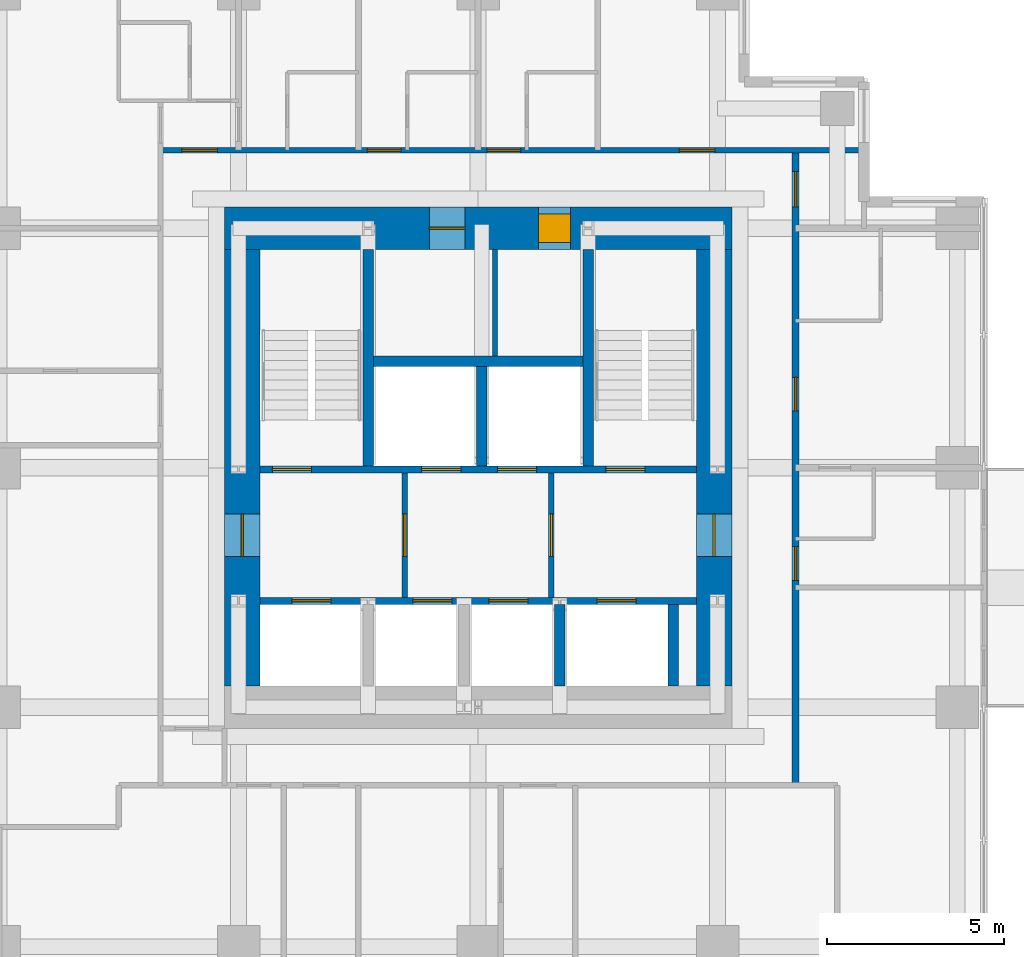
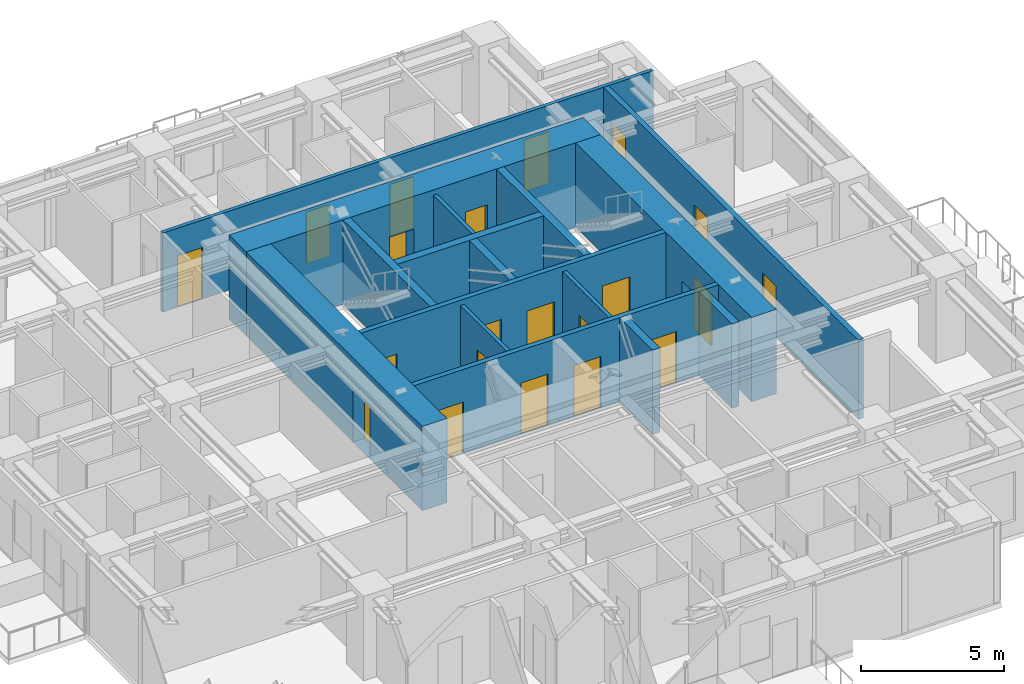
# One storey, part 7 of 10: 21 doors, 16 walls, 21 openings.
"""IFC4 building model written with IfcOpenShell, lengths in metres."""

from ifc_helpers import new_model, si_unit, direction, frame, frame_2d, origin, place, context, subcontext, project, spatial, rectangle, extrude, material, layer, layer_set, type_object, element, fill, save


model = new_model("IFC4")

# Units and contexts
model_context = context("Model", 3, precision=1e-05, world=origin(), true_north=direction((0.0, 1.0)))
body_context = subcontext(model_context, "Body", "Model", "MODEL_VIEW")
ifc_project = project(units=[si_unit("LENGTHUNIT", "METRE"), si_unit("AREAUNIT", "SQUARE_METRE"), si_unit("VOLUMEUNIT", "CUBIC_METRE"), si_unit("PLANEANGLEUNIT", "RADIAN"), si_unit("MASSUNIT", "GRAM", prefix="KILO")], contexts=[model_context])

# Site, building, storey
site_placement = place(None, origin())
site = spatial("IfcSite", under=ifc_project, at=site_placement, CompositionType="ELEMENT")
building_placement = place(site_placement, origin())
building = spatial("IfcBuilding", under=site, at=building_placement, Name="Nyansa Garden Tower", CompositionType="ELEMENT")
storey_placement = place(building_placement, frame((0.0, 0.0, 185.39990234375)))
storey = spatial("IfcBuildingStorey", under=building, at=storey_placement, Name="L50", CompositionType="ELEMENT", Elevation=185.39990234375)

# Wall, openings, doors
ifc_material_1 = material(Name="Concrete C70/85", Category="concrete")
ifc_layer_1 = layer(ifc_material_1, 0.199951171875)
ifc_layer_set_1 = layer_set([ifc_layer_1], Name="Core inner wall CI200")
wall_type_1 = type_object("IfcWallType", Name="Core inner wall CI200", PredefinedType="SHEAR", material=ifc_layer_set_1)
wall_1_placement = place(storey_placement, frame((14.10009765625, 16.5, 0.0), z_axis=(0.0, 0.0, 1.0), x_axis=(1.0, 0.0, 0.0)))
wall_1 = element("IfcWall", 1, at=wall_1_placement, inside=storey, type_object=wall_type_1, Name="Core inner wall L50", PredefinedType="SHEAR", context=body_context, shape_type="SweptSolid", body=[
    extrude(rectangle(XDim=12.2998046875, YDim=0.199951171875, at=frame_2d((6.14990234375, 0.0))), origin(), (0.0, 0.0, 1.0), 3.60009765625),
])
opening_1_placement = place(wall_1_placement, frame((0.89990234375, 0.0, 0.0)))
opening_1 = element("IfcOpeningElement", 2, at=opening_1_placement, cuts=wall_1, Name="Opening LD-F", PredefinedType="OPENING", context=body_context, shape_type="SweptSolid", body=[
    extrude(rectangle(XDim=1.10009765625, YDim=2.199951171875, at=frame_2d((0.550048828125, 1.10009765625))), frame((0.0, 0.10986328125, 0.0), z_axis=(0.0, -1.0, 0.0), x_axis=(1.0, 0.0, 0.0)), (0.0, 0.0, 1.0), 0.219970703125),
])
opening_2_placement = place(wall_1_placement, frame((4.31005859375, 0.0, 0.0)))
opening_2 = element("IfcOpeningElement", 3, at=opening_2_placement, cuts=wall_1, Name="Opening LD-B", PredefinedType="OPENING", context=body_context, shape_type="SweptSolid", body=[
    extrude(rectangle(XDim=1.10009765625, YDim=2.199951171875, at=frame_2d((0.550048828125, 1.10009765625))), frame((0.0, 0.10986328125, 0.0), z_axis=(0.0, -1.0, 0.0), x_axis=(1.0, 0.0, 0.0)), (0.0, 0.0, 1.0), 0.219970703125),
])
opening_3_placement = place(wall_1_placement, frame((6.449951171875, 0.0, 0.0)))
opening_3 = element("IfcOpeningElement", 4, at=opening_3_placement, cuts=wall_1, Name="Opening LD-B", PredefinedType="OPENING", context=body_context, shape_type="SweptSolid", body=[
    extrude(rectangle(XDim=1.10009765625, YDim=2.199951171875, at=frame_2d((0.550048828125, 1.10009765625))), frame((0.0, 0.10986328125, 0.0), z_axis=(0.0, -1.0, 0.0), x_axis=(1.0, 0.0, 0.0)), (0.0, 0.0, 1.0), 0.219970703125),
])
opening_4_placement = place(wall_1_placement, frame((9.5, 0.0, 0.0)))
opening_4 = element("IfcOpeningElement", 5, at=opening_4_placement, cuts=wall_1, Name="Opening LD-F", PredefinedType="OPENING", context=body_context, shape_type="SweptSolid", body=[
    extrude(rectangle(XDim=1.10009765625, YDim=2.199951171875, at=frame_2d((0.550048828125, 1.10009765625))), frame((0.0, 0.10986328125, 0.0), z_axis=(0.0, -1.0, 0.0), x_axis=(1.0, 0.0, 0.0)), (0.0, 0.0, 1.0), 0.219970703125),
])
ifc_material_2 = material(Name="Stainless steel centre-opening landing door of the high-rise lift, E 120", Category="steel")
door_type_1 = type_object("IfcDoorType", Name="Lift landing door LD-B 1100x2200", OperationType="DOUBLE_DOOR_SLIDING", PredefinedType="DOOR", material=ifc_material_2)
door_1_placement = place(opening_2_placement, origin())
door_1 = element("IfcDoor", 6, at=door_1_placement, inside=storey, type_object=door_type_1, Name="Landing door B1", OperationType="DOUBLE_DOOR_SLIDING", OverallHeight=2.199951171875, OverallWidth=1.10009765625, PredefinedType="DOOR", context=body_context, shape_type="SweptSolid", body=[
    extrude(rectangle(XDim=1.10009765625, YDim=2.199951171875, at=frame_2d((0.550048828125, 1.10009765625))), frame((0.0, 0.02490234375, 0.0), z_axis=(0.0, -1.0, 0.0), x_axis=(1.0, 0.0, 0.0)), (0.0, 0.0, 1.0), 0.050048828125),
])
fill(opening_2, door_1)
door_2_placement = place(opening_3_placement, origin())
door_2 = element("IfcDoor", 7, at=door_2_placement, inside=storey, type_object=door_type_1, Name="Landing door B2", OperationType="DOUBLE_DOOR_SLIDING", OverallHeight=2.199951171875, OverallWidth=1.10009765625, PredefinedType="DOOR", context=body_context, shape_type="SweptSolid", body=[
    extrude(rectangle(XDim=1.10009765625, YDim=2.199951171875, at=frame_2d((0.550048828125, 1.10009765625))), frame((0.0, 0.02490234375, 0.0), z_axis=(0.0, -1.0, 0.0), x_axis=(1.0, 0.0, 0.0)), (0.0, 0.0, 1.0), 0.050048828125),
])
fill(opening_3, door_2)
ifc_material_3 = material(Name="Stainless steel centre-opening landing door of the firefighting lift, EN 81-72, E 120", Category="steel")
door_type_2 = type_object("IfcDoorType", Name="Lift landing door LD-F 1100x2200", OperationType="DOUBLE_DOOR_SLIDING", PredefinedType="DOOR", material=ifc_material_3)
door_3_placement = place(opening_1_placement, origin())
door_3 = element("IfcDoor", 8, at=door_3_placement, inside=storey, type_object=door_type_2, Name="Landing door FF1", OperationType="DOUBLE_DOOR_SLIDING", OverallHeight=2.199951171875, OverallWidth=1.10009765625, PredefinedType="DOOR", context=body_context, shape_type="SweptSolid", body=[
    extrude(rectangle(XDim=1.10009765625, YDim=2.199951171875, at=frame_2d((0.550048828125, 1.10009765625))), frame((0.0, 0.02490234375, 0.0), z_axis=(0.0, -1.0, 0.0), x_axis=(1.0, 0.0, 0.0)), (0.0, 0.0, 1.0), 0.050048828125),
])
fill(opening_1, door_3)
door_4_placement = place(opening_4_placement, origin())
door_4 = element("IfcDoor", 9, at=door_4_placement, inside=storey, type_object=door_type_2, Name="Landing door FF2", OperationType="DOUBLE_DOOR_SLIDING", OverallHeight=2.199951171875, OverallWidth=1.10009765625, PredefinedType="DOOR", context=body_context, shape_type="SweptSolid", body=[
    extrude(rectangle(XDim=1.10009765625, YDim=2.199951171875, at=frame_2d((0.550048828125, 1.10009765625))), frame((0.0, 0.02490234375, 0.0), z_axis=(0.0, -1.0, 0.0), x_axis=(1.0, 0.0, 0.0)), (0.0, 0.0, 1.0), 0.050048828125),
])
fill(opening_4, door_4)

wall_2_placement = place(storey_placement, frame((14.10009765625, 20.199951171875, 0.0), z_axis=(0.0, 0.0, 1.0), x_axis=(1.0, 0.0, 0.0)))
wall_2 = element("IfcWall", 10, at=wall_2_placement, inside=storey, type_object=wall_type_1, Name="Core inner wall L50", PredefinedType="SHEAR", context=body_context, shape_type="SweptSolid", body=[
    extrude(rectangle(XDim=12.2998046875, YDim=0.199951171875, at=frame_2d((6.14990234375, 0.0))), origin(), (0.0, 0.0, 1.0), 3.60009765625),
])
opening_5_placement = place(wall_2_placement, frame((4.56005859375, 0.0, 0.0)))
opening_5 = element("IfcOpeningElement", 11, at=opening_5_placement, cuts=wall_2, Name="Opening LD-B", PredefinedType="OPENING", context=body_context, shape_type="SweptSolid", body=[
    extrude(rectangle(XDim=1.10009765625, YDim=2.199951171875, at=frame_2d((0.550048828125, 1.10009765625))), frame((0.0, 0.10986328125, 0.0), z_axis=(0.0, -1.0, 0.0), x_axis=(1.0, 0.0, 0.0)), (0.0, 0.0, 1.0), 0.219970703125),
])
opening_6_placement = place(wall_2_placement, frame((6.699951171875, 0.0, 0.0)))
opening_6 = element("IfcOpeningElement", 12, at=opening_6_placement, cuts=wall_2, Name="Opening LD-B", PredefinedType="OPENING", context=body_context, shape_type="SweptSolid", body=[
    extrude(rectangle(XDim=1.10009765625, YDim=2.199951171875, at=frame_2d((0.550048828125, 1.10009765625))), frame((0.0, 0.10986328125, 0.0), z_axis=(0.0, -1.0, 0.0), x_axis=(1.0, 0.0, 0.0)), (0.0, 0.0, 1.0), 0.219970703125),
])
opening_7_placement = place(wall_2_placement, frame((0.35009765625, 0.0, 0.0)))
opening_7 = element("IfcOpeningElement", 13, at=opening_7_placement, cuts=wall_2, Name="Opening D05", PredefinedType="OPENING", context=body_context, shape_type="SweptSolid", body=[
    extrude(rectangle(XDim=1.10009765625, YDim=2.199951171875, at=frame_2d((0.550048828125, 1.10009765625))), frame((0.0, 0.10986328125, 0.0), z_axis=(0.0, -1.0, 0.0), x_axis=(1.0, 0.0, 0.0)), (0.0, 0.0, 1.0), 0.219970703125),
])
opening_8_placement = place(wall_2_placement, frame((9.75, 0.0, 0.0)))
opening_8 = element("IfcOpeningElement", 14, at=opening_8_placement, cuts=wall_2, Name="Opening D05", PredefinedType="OPENING", context=body_context, shape_type="SweptSolid", body=[
    extrude(rectangle(XDim=1.10009765625, YDim=2.199951171875, at=frame_2d((0.550048828125, 1.10009765625))), frame((0.0, 0.10986328125, 0.0), z_axis=(0.0, -1.0, 0.0), x_axis=(1.0, 0.0, 0.0)), (0.0, 0.0, 1.0), 0.219970703125),
])
door_5_placement = place(opening_5_placement, origin())
door_5 = element("IfcDoor", 15, at=door_5_placement, inside=storey, type_object=door_type_1, Name="Landing door B3", OperationType="DOUBLE_DOOR_SLIDING", OverallHeight=2.199951171875, OverallWidth=1.10009765625, PredefinedType="DOOR", context=body_context, shape_type="SweptSolid", body=[
    extrude(rectangle(XDim=1.10009765625, YDim=2.199951171875, at=frame_2d((0.550048828125, 1.10009765625))), frame((0.0, 0.02490234375, 0.0), z_axis=(0.0, -1.0, 0.0), x_axis=(1.0, 0.0, 0.0)), (0.0, 0.0, 1.0), 0.050048828125),
])
fill(opening_5, door_5)
door_6_placement = place(opening_6_placement, origin())
door_6 = element("IfcDoor", 16, at=door_6_placement, inside=storey, type_object=door_type_1, Name="Landing door B4", OperationType="DOUBLE_DOOR_SLIDING", OverallHeight=2.199951171875, OverallWidth=1.10009765625, PredefinedType="DOOR", context=body_context, shape_type="SweptSolid", body=[
    extrude(rectangle(XDim=1.10009765625, YDim=2.199951171875, at=frame_2d((0.550048828125, 1.10009765625))), frame((0.0, 0.02490234375, 0.0), z_axis=(0.0, -1.0, 0.0), x_axis=(1.0, 0.0, 0.0)), (0.0, 0.0, 1.0), 0.050048828125),
])
fill(opening_6, door_6)
ifc_material_4 = material(Name="Steel door, 120 minute fire resisting", Category="steel")
door_type_3 = type_object("IfcDoorType", Name="Stair door D05 1100x2200", OperationType="SINGLE_SWING_LEFT", PredefinedType="DOOR", material=ifc_material_4)
door_7_placement = place(opening_7_placement, origin())
door_7 = element("IfcDoor", 17, at=door_7_placement, inside=storey, type_object=door_type_3, Name="Stair S1 door", OperationType="SINGLE_SWING_LEFT", OverallHeight=2.199951171875, OverallWidth=1.10009765625, PredefinedType="DOOR", context=body_context, shape_type="SweptSolid", body=[
    extrude(rectangle(XDim=1.10009765625, YDim=2.199951171875, at=frame_2d((0.550048828125, 1.10009765625))), frame((0.0, 0.02490234375, 0.0), z_axis=(0.0, -1.0, 0.0), x_axis=(1.0, 0.0, 0.0)), (0.0, 0.0, 1.0), 0.050048828125),
])
fill(opening_7, door_7)
door_8_placement = place(opening_8_placement, origin())
door_8 = element("IfcDoor", 18, at=door_8_placement, inside=storey, type_object=door_type_3, Name="Stair S2 door", OperationType="SINGLE_SWING_LEFT", OverallHeight=2.199951171875, OverallWidth=1.10009765625, PredefinedType="DOOR", context=body_context, shape_type="SweptSolid", body=[
    extrude(rectangle(XDim=1.10009765625, YDim=2.199951171875, at=frame_2d((0.550048828125, 1.10009765625))), frame((0.0, 0.02490234375, 0.0), z_axis=(0.0, -1.0, 0.0), x_axis=(1.0, 0.0, 0.0)), (0.0, 0.0, 1.0), 0.050048828125),
])
fill(opening_8, door_8)

# Walls
ifc_material_5 = material(Name="Concrete C70/85", Category="concrete")
ifc_layer_2 = layer(ifc_material_5, 0.300048828125)
ifc_layer_set_2 = layer_set([ifc_layer_2], Name="Core inner wall CI300")
wall_type_2 = type_object("IfcWallType", Name="Core inner wall CI300", PredefinedType="SHEAR", material=ifc_layer_set_2)
for number, where, z_axis, x_axis, name in (
    (19, (17.14990234375, 20.300048828125, 0.0), (0.0, 0.0, 1.0), (0.0, 1.0, 0.0), "Core inner wall L50"),
    (20, (23.35009765625, 20.300048828125, 0.0), (0.0, 0.0, 1.0), (0.0, 1.0, 0.0), "Core inner wall L50"),
):
    element("IfcWall", number, at=place(storey_placement, frame(where, z_axis=z_axis, x_axis=x_axis)), inside=storey, type_object=wall_type_2, Name=name, PredefinedType="SHEAR", context=body_context, shape_type="SweptSolid", body=[
        extrude(rectangle(XDim=6.099853515625, YDim=0.300048828125, at=frame_2d((3.0498046875, 0.0))), origin(), (0.0, 0.0, 1.0), 3.60009765625),
    ])
wall_3_placement = place(storey_placement, frame((20.35009765625, 20.300048828125, 0.0), z_axis=(0.0, 0.0, 1.0), x_axis=(0.0, 1.0, 0.0)))
element("IfcWall", 21, at=wall_3_placement, inside=storey, type_object=wall_type_2, Name="Core inner wall L50", PredefinedType="SHEAR", context=body_context, shape_type="SweptSolid", body=[
    extrude(rectangle(XDim=2.800048828125, YDim=0.300048828125, at=frame_2d((1.39990234375, 0.0))), origin(), (0.0, 0.0, 1.0), 3.60009765625),
])
wall_4_placement = place(storey_placement, frame((17.300048828125, 23.25, 0.0), z_axis=(0.0, 0.0, 1.0), x_axis=(1.0, 0.0, 0.0)))
element("IfcWall", 22, at=wall_4_placement, inside=storey, type_object=wall_type_2, Name="Core inner wall L50", PredefinedType="SHEAR", context=body_context, shape_type="SweptSolid", body=[
    extrude(rectangle(XDim=5.89990234375, YDim=0.300048828125, at=frame_2d((2.949951171875, 0.0))), origin(), (0.0, 0.0, 1.0), 3.60009765625),
])
for number, where, z_axis, x_axis, name in (
    (23, (22.550048828125, 14.10009765625, 0.0), (0.0, 0.0, 1.0), (0.0, 1.0, 0.0), "Core inner wall L50"),
    (24, (25.75, 14.10009765625, 0.0), (0.0, 0.0, 1.0), (0.0, 1.0, 0.0), "Core inner wall L50"),
):
    element("IfcWall", number, at=place(storey_placement, frame(where, z_axis=z_axis, x_axis=x_axis)), inside=storey, type_object=wall_type_2, Name=name, PredefinedType="SHEAR", context=body_context, shape_type="SweptSolid", body=[
        extrude(rectangle(XDim=2.2998046875, YDim=0.300048828125, at=frame_2d((1.14990234375, 0.0))), origin(), (0.0, 0.0, 1.0), 3.60009765625),
    ])

# Wall, opening, door
ifc_material_6 = material(Name="Concrete C80/95", Category="concrete")
ifc_layer_3 = layer(ifc_material_6, 1.0)
ifc_layer_set_3 = layer_set([ifc_layer_3], Name="Core wall CW1000")
wall_type_3 = type_object("IfcWallType", Name="Core wall CW1000", PredefinedType="SHEAR", material=ifc_layer_set_3)
wall_5_placement = place(storey_placement, frame((26.89990234375, 14.10009765625, 0.0), z_axis=(0.0, 0.0, 1.0), x_axis=(0.0, 1.0, 0.0)))
wall_5 = element("IfcWall", 25, at=wall_5_placement, inside=storey, type_object=wall_type_3, Name="Core wall E L50", PredefinedType="SHEAR", context=body_context, shape_type="SweptSolid", body=[
    extrude(rectangle(XDim=12.2998046875, YDim=1.0, at=frame_2d((6.14990234375, 0.0))), origin(), (0.0, 0.0, 1.0), 3.60009765625),
])
opening_9_placement = place(wall_5_placement, frame((3.64990234375, 0.0, 0.0)))
opening_9 = element("IfcOpeningElement", 26, at=opening_9_placement, cuts=wall_5, Name="Opening D06", PredefinedType="OPENING", context=body_context, shape_type="SweptSolid", body=[
    extrude(rectangle(XDim=1.199951171875, YDim=2.199951171875, at=frame_2d((0.60009765625, 1.10009765625))), frame((0.0, 0.510009765625, 0.0), z_axis=(0.0, -1.0, 0.0), x_axis=(1.0, 0.0, 0.0)), (0.0, 0.0, 1.0), 1.02001953125),
])
ifc_material_7 = material(Name="Steel door, 120 minute fire resisting", Category="steel")
door_type_4 = type_object("IfcDoorType", Name="Lobby door D06 1200x2200", OperationType="DOUBLE_DOOR_SINGLE_SWING", PredefinedType="DOOR", material=ifc_material_7)
door_9_placement = place(opening_9_placement, origin())
door_9 = element("IfcDoor", 27, at=door_9_placement, inside=storey, type_object=door_type_4, Name="Lift lobby door east", OperationType="DOUBLE_DOOR_SINGLE_SWING", OverallHeight=2.199951171875, OverallWidth=1.199951171875, PredefinedType="DOOR", context=body_context, shape_type="SweptSolid", body=[
    extrude(rectangle(XDim=1.199951171875, YDim=2.199951171875, at=frame_2d((0.60009765625, 1.10009765625))), frame((0.0, 0.02490234375, 0.0), z_axis=(0.0, -1.0, 0.0), x_axis=(1.0, 0.0, 0.0)), (0.0, 0.0, 1.0), 0.050048828125),
])
fill(opening_9, door_9)

wall_6_placement = place(storey_placement, frame((13.60009765625, 26.39990234375, 0.0), z_axis=(0.0, 0.0, 1.0), x_axis=(0.0, -1.0, 0.0)))
wall_6 = element("IfcWall", 28, at=wall_6_placement, inside=storey, type_object=wall_type_3, Name="Core wall W L50", PredefinedType="SHEAR", context=body_context, shape_type="SweptSolid", body=[
    extrude(rectangle(XDim=12.2998046875, YDim=1.0, at=frame_2d((6.14990234375, 0.0))), origin(), (0.0, 0.0, 1.0), 3.60009765625),
])
opening_10_placement = place(wall_6_placement, frame((7.449951171875, 0.0, 0.0)))
opening_10 = element("IfcOpeningElement", 29, at=opening_10_placement, cuts=wall_6, Name="Opening D06", PredefinedType="OPENING", context=body_context, shape_type="SweptSolid", body=[
    extrude(rectangle(XDim=1.199951171875, YDim=2.199951171875, at=frame_2d((0.60009765625, 1.10009765625))), frame((0.0, 0.510009765625, 0.0), z_axis=(0.0, -1.0, 0.0), x_axis=(1.0, 0.0, 0.0)), (0.0, 0.0, 1.0), 1.02001953125),
])
door_10_placement = place(opening_10_placement, origin())
door_10 = element("IfcDoor", 30, at=door_10_placement, inside=storey, type_object=door_type_4, Name="Lift lobby door west", OperationType="DOUBLE_DOOR_SINGLE_SWING", OverallHeight=2.199951171875, OverallWidth=1.199951171875, PredefinedType="DOOR", context=body_context, shape_type="SweptSolid", body=[
    extrude(rectangle(XDim=1.199951171875, YDim=2.199951171875, at=frame_2d((0.60009765625, 1.10009765625))), frame((0.0, 0.02490234375, 0.0), z_axis=(0.0, -1.0, 0.0), x_axis=(1.0, 0.0, 0.0)), (0.0, 0.0, 1.0), 0.050048828125),
])
fill(opening_10, door_10)

# Wall, openings, doors
ifc_material_8 = material(Name="Concrete C80/95", Category="concrete")
ifc_layer_4 = layer(ifc_material_8, 1.199951171875)
ifc_layer_set_4 = layer_set([ifc_layer_4], Name="Core wall CW1200")
wall_type_4 = type_object("IfcWallType", Name="Core wall CW1200", PredefinedType="SHEAR", material=ifc_layer_set_4)
wall_7_placement = place(storey_placement, frame((27.39990234375, 27.0, 0.0), z_axis=(0.0, 0.0, 1.0), x_axis=(-1.0, 0.0, 0.0)))
wall_7 = element("IfcWall", 31, at=wall_7_placement, inside=storey, type_object=wall_type_4, Name="Core wall N L50", PredefinedType="SHEAR", context=body_context, shape_type="SweptSolid", body=[
    extrude(rectangle(XDim=14.2998046875, YDim=1.199951171875, at=frame_2d((7.14990234375, 0.0))), origin(), (0.0, 0.0, 1.0), 3.60009765625),
])
opening_11_placement = place(wall_7_placement, frame((4.550048828125, 0.0, 0.0)))
opening_11 = element("IfcOpeningElement", 32, at=opening_11_placement, cuts=wall_7, Name="Opening D15", PredefinedType="OPENING", context=body_context, shape_type="SweptSolid", body=[
    extrude(rectangle(XDim=0.89990234375, YDim=2.199951171875, at=frame_2d((0.449951171875, 1.10009765625))), frame((0.0, 0.60986328125, 0.0), z_axis=(0.0, -1.0, 0.0), x_axis=(1.0, 0.0, 0.0)), (0.0, 0.0, 1.0), 1.219970703125),
])
opening_12_placement = place(wall_7_placement, frame((7.52490234375, 0.0, 0.0)))
opening_12 = element("IfcOpeningElement", 33, at=opening_12_placement, cuts=wall_7, Name="Opening D07", PredefinedType="OPENING", context=body_context, shape_type="SweptSolid", body=[
    extrude(rectangle(XDim=1.0, YDim=2.199951171875, at=frame_2d((0.5, 1.10009765625))), frame((0.0, 0.60986328125, 0.0), z_axis=(0.0, -1.0, 0.0), x_axis=(1.0, 0.0, 0.0)), (0.0, 0.0, 1.0), 1.219970703125),
])
ifc_material_9 = material(Name="Timber flush door, 60 minute fire resisting, self-closing", Category="wood")
door_type_5 = type_object("IfcDoorType", Name="Core room door D15 900x2200", OperationType="SINGLE_SWING_LEFT", PredefinedType="DOOR", material=ifc_material_9)
door_11_placement = place(opening_11_placement, origin())
door_11 = element("IfcDoor", 34, at=door_11_placement, inside=storey, type_object=door_type_5, Name="Core room door", OperationType="SINGLE_SWING_LEFT", OverallHeight=2.199951171875, OverallWidth=0.89990234375, PredefinedType="DOOR", context=body_context, shape_type="SweptSolid", body=[
    extrude(rectangle(XDim=0.89990234375, YDim=2.199951171875, at=frame_2d((0.449951171875, 1.10009765625))), frame((0.0, 0.39990234375, 0.0), z_axis=(0.0, -1.0, 0.0), x_axis=(1.0, 0.0, 0.0)), (0.0, 0.0, 1.0), 0.800048828125),
])
fill(opening_11, door_11)
ifc_material_10 = material(Name="Steel door, 120 minute fire resisting", Category="steel")
door_type_6 = type_object("IfcDoorType", Name="Riser door D07 1000x2200", OperationType="SINGLE_SWING_LEFT", PredefinedType="DOOR", material=ifc_material_10)
door_12_placement = place(opening_12_placement, origin())
door_12 = element("IfcDoor", 35, at=door_12_placement, inside=storey, type_object=door_type_6, Name="Riser and refuse room door", OperationType="SINGLE_SWING_LEFT", OverallHeight=2.199951171875, OverallWidth=1.0, PredefinedType="DOOR", context=body_context, shape_type="SweptSolid", body=[
    extrude(rectangle(XDim=1.0, YDim=2.199951171875, at=frame_2d((0.5, 1.10009765625))), frame((0.0, 0.02490234375, 0.0), z_axis=(0.0, -1.0, 0.0), x_axis=(1.0, 0.0, 0.0)), (0.0, 0.0, 1.0), 0.050048828125),
])
fill(opening_12, door_12)

ifc_material_11 = material(Name="Concrete blockwork, plastered, 60 minute fire resisting", Category="masonry")
ifc_layer_5 = layer(ifc_material_11, 0.199951171875)
ifc_layer_set_5 = layer_set([ifc_layer_5], Name="Corridor wall FW200")
wall_type_5 = type_object("IfcWallType", Name="Corridor wall FW200", PredefinedType="PARTITIONING", material=ifc_layer_set_5)
wall_8_placement = place(storey_placement, frame((29.199951171875, 11.300048828125, 0.0), z_axis=(0.0, 0.0, 1.0), x_axis=(0.0, 1.0, 0.0)))
wall_8 = element("IfcWall", 36, at=wall_8_placement, inside=storey, type_object=wall_type_5, Name="Corridor wall", PredefinedType="PARTITIONING", context=body_context, shape_type="SweptSolid", body=[
    extrude(rectangle(XDim=17.89990234375, YDim=0.199951171875, at=frame_2d((8.949951171875, 0.0))), origin(), (0.0, 0.0, 1.0), 3.375),
])
opening_13_placement = place(wall_8_placement, frame((10.550048828125, 0.0, 0.0)))
opening_13 = element("IfcOpeningElement", 37, at=opening_13_placement, cuts=wall_8, Name="Opening D14", PredefinedType="OPENING", context=body_context, shape_type="SweptSolid", body=[
    extrude(rectangle(XDim=0.949951171875, YDim=2.199951171875, at=frame_2d((0.47509765625, 1.10009765625))), frame((0.0, 0.10986328125, 0.0), z_axis=(0.0, -1.0, 0.0), x_axis=(1.0, 0.0, 0.0)), (0.0, 0.0, 1.0), 0.219970703125),
])
opening_14_placement = place(wall_8_placement, frame((5.77490234375, 0.0, 0.0)))
opening_14 = element("IfcOpeningElement", 38, at=opening_14_placement, cuts=wall_8, Name="Opening D14", PredefinedType="OPENING", context=body_context, shape_type="SweptSolid", body=[
    extrude(rectangle(XDim=0.949951171875, YDim=2.199951171875, at=frame_2d((0.47509765625, 1.10009765625))), frame((0.0, 0.10986328125, 0.0), z_axis=(0.0, -1.0, 0.0), x_axis=(1.0, 0.0, 0.0)), (0.0, 0.0, 1.0), 0.219970703125),
])
opening_15_placement = place(wall_8_placement, frame((16.300048828125, 0.0, 0.0)))
opening_15 = element("IfcOpeningElement", 39, at=opening_15_placement, cuts=wall_8, Name="Opening D03", PredefinedType="OPENING", context=body_context, shape_type="SweptSolid", body=[
    extrude(rectangle(XDim=1.0, YDim=2.199951171875, at=frame_2d((0.5, 1.10009765625))), frame((0.0, 0.10986328125, 0.0), z_axis=(0.0, -1.0, 0.0), x_axis=(1.0, 0.0, 0.0)), (0.0, 0.0, 1.0), 0.219970703125),
])
ifc_material_12 = material(Name="Timber flush door, 60 minute fire resisting", Category="wood")
door_type_7 = type_object("IfcDoorType", Name="Cluster entrance door D03 1000x2200", OperationType="SINGLE_SWING_LEFT", PredefinedType="DOOR", material=ifc_material_12)
door_13_placement = place(opening_15_placement, origin())
door_13 = element("IfcDoor", 40, at=door_13_placement, inside=storey, type_object=door_type_7, Name="Door L50-038", OperationType="SINGLE_SWING_LEFT", OverallHeight=2.199951171875, OverallWidth=1.0, PredefinedType="DOOR", context=body_context, shape_type="SweptSolid", body=[
    extrude(rectangle(XDim=1.0, YDim=2.199951171875, at=frame_2d((0.5, 1.10009765625))), frame((0.0, 0.02490234375, 0.0), z_axis=(0.0, -1.0, 0.0), x_axis=(1.0, 0.0, 0.0)), (0.0, 0.0, 1.0), 0.050048828125),
])
fill(opening_15, door_13)
ifc_material_13 = material(Name="Timber flush door, 60 minute fire resisting, self-closing", Category="wood")
door_type_8 = type_object("IfcDoorType", Name="Studio entrance door D14 950x2200", OperationType="SINGLE_SWING_LEFT", PredefinedType="DOOR", material=ifc_material_13)
door_14_placement = place(opening_13_placement, origin())
door_14 = element("IfcDoor", 41, at=door_14_placement, inside=storey, type_object=door_type_8, Name="Door L50-034", OperationType="SINGLE_SWING_LEFT", OverallHeight=2.199951171875, OverallWidth=0.949951171875, PredefinedType="DOOR", context=body_context, shape_type="SweptSolid", body=[
    extrude(rectangle(XDim=0.949951171875, YDim=2.199951171875, at=frame_2d((0.47509765625, 1.10009765625))), frame((0.0, 0.02490234375, 0.0), z_axis=(0.0, -1.0, 0.0), x_axis=(1.0, 0.0, 0.0)), (0.0, 0.0, 1.0), 0.050048828125),
])
fill(opening_13, door_14)
door_15_placement = place(opening_14_placement, origin())
door_15 = element("IfcDoor", 42, at=door_15_placement, inside=storey, type_object=door_type_8, Name="Door L50-036", OperationType="SINGLE_SWING_LEFT", OverallHeight=2.199951171875, OverallWidth=0.949951171875, PredefinedType="DOOR", context=body_context, shape_type="SweptSolid", body=[
    extrude(rectangle(XDim=0.949951171875, YDim=2.199951171875, at=frame_2d((0.47509765625, 1.10009765625))), frame((0.0, 0.02490234375, 0.0), z_axis=(0.0, -1.0, 0.0), x_axis=(1.0, 0.0, 0.0)), (0.0, 0.0, 1.0), 0.050048828125),
])
fill(opening_14, door_15)

# Wall, opening, door
ifc_material_14 = material(Name="Blockwork, plastered both sides", Category="masonry")
ifc_layer_6 = layer(ifc_material_14, 0.14990234375)
ifc_layer_set_6 = layer_set([ifc_layer_6], Name="Partition PW150")
wall_type_6 = type_object("IfcWallType", Name="Partition PW150", PredefinedType="PARTITIONING", material=ifc_layer_set_6)
wall_9_placement = place(storey_placement, frame((18.18505859375, 16.60009765625, 0.0), z_axis=(0.0, 0.0, 1.0), x_axis=(0.0, 1.0, 0.0)))
wall_9 = element("IfcWall", 43, at=wall_9_placement, inside=storey, type_object=wall_type_6, Name="Partition", PredefinedType="PARTITIONING", context=body_context, shape_type="SweptSolid", body=[
    extrude(rectangle(XDim=3.5, YDim=0.14990234375, at=frame_2d((1.75, 0.0))), origin(), (0.0, 0.0, 1.0), 3.375),
])
opening_16_placement = place(wall_9_placement, frame((1.14990234375, 0.0, 0.0)))
opening_16 = element("IfcOpeningElement", 44, at=opening_16_placement, cuts=wall_9, Name="Opening D06", PredefinedType="OPENING", context=body_context, shape_type="SweptSolid", body=[
    extrude(rectangle(XDim=1.199951171875, YDim=2.199951171875, at=frame_2d((0.60009765625, 1.10009765625))), frame((0.0, 0.0849609375, 0.0), z_axis=(0.0, -1.0, 0.0), x_axis=(1.0, 0.0, 0.0)), (0.0, 0.0, 1.0), 0.169921875),
])
door_16_placement = place(opening_16_placement, origin())
door_16 = element("IfcDoor", 45, at=door_16_placement, inside=storey, type_object=door_type_4, Name="Passenger lift lobby door", OperationType="DOUBLE_DOOR_SINGLE_SWING", OverallHeight=2.199951171875, OverallWidth=1.199951171875, PredefinedType="DOOR", context=body_context, shape_type="SweptSolid", body=[
    extrude(rectangle(XDim=1.199951171875, YDim=2.199951171875, at=frame_2d((0.60009765625, 1.10009765625))), frame((0.0, 0.02490234375, 0.0), z_axis=(0.0, -1.0, 0.0), x_axis=(1.0, 0.0, 0.0)), (0.0, 0.0, 1.0), 0.050048828125),
])
fill(opening_16, door_16)

wall_10_placement = place(storey_placement, frame((22.31494140625, 16.60009765625, 0.0), z_axis=(0.0, 0.0, 1.0), x_axis=(0.0, 1.0, 0.0)))
wall_10 = element("IfcWall", 46, at=wall_10_placement, inside=storey, type_object=wall_type_6, Name="Partition", PredefinedType="PARTITIONING", context=body_context, shape_type="SweptSolid", body=[
    extrude(rectangle(XDim=3.5, YDim=0.14990234375, at=frame_2d((1.75, 0.0))), origin(), (0.0, 0.0, 1.0), 3.375),
])
opening_17_placement = place(wall_10_placement, frame((1.14990234375, 0.0, 0.0)))
opening_17 = element("IfcOpeningElement", 47, at=opening_17_placement, cuts=wall_10, Name="Opening D06", PredefinedType="OPENING", context=body_context, shape_type="SweptSolid", body=[
    extrude(rectangle(XDim=1.199951171875, YDim=2.199951171875, at=frame_2d((0.60009765625, 1.10009765625))), frame((0.0, 0.0849609375, 0.0), z_axis=(0.0, -1.0, 0.0), x_axis=(1.0, 0.0, 0.0)), (0.0, 0.0, 1.0), 0.169921875),
])
door_17_placement = place(opening_17_placement, origin())
door_17 = element("IfcDoor", 48, at=door_17_placement, inside=storey, type_object=door_type_4, Name="Passenger lift lobby door", OperationType="DOUBLE_DOOR_SINGLE_SWING", OverallHeight=2.199951171875, OverallWidth=1.199951171875, PredefinedType="DOOR", context=body_context, shape_type="SweptSolid", body=[
    extrude(rectangle(XDim=1.199951171875, YDim=2.199951171875, at=frame_2d((0.60009765625, 1.10009765625))), frame((0.0, 0.02490234375, 0.0), z_axis=(0.0, -1.0, 0.0), x_axis=(1.0, 0.0, 0.0)), (0.0, 0.0, 1.0), 0.050048828125),
])
fill(opening_17, door_17)

# Wall
wall_11_placement = place(storey_placement, frame((20.72509765625, 23.39990234375, 0.0), z_axis=(0.0, 0.0, 1.0), x_axis=(0.0, 1.0, 0.0)))
element("IfcWall", 49, at=wall_11_placement, inside=storey, type_object=wall_type_6, Name="Partition", PredefinedType="PARTITIONING", context=body_context, shape_type="SweptSolid", body=[
    extrude(rectangle(XDim=3.0, YDim=0.14990234375, at=frame_2d((1.5, 0.0))), origin(), (0.0, 0.0, 1.0), 3.375),
])

# Wall, openings, doors
wall_12_placement = place(storey_placement, frame((11.300048828125, 29.199951171875, 0.0), z_axis=(0.0, 0.0, 1.0), x_axis=(1.0, 0.0, 0.0)))
wall_12 = element("IfcWall", 50, at=wall_12_placement, inside=storey, type_object=wall_type_6, Name="Partition", PredefinedType="PARTITIONING", context=body_context, shape_type="SweptSolid", body=[
    extrude(rectangle(XDim=19.808837890625, YDim=0.14990234375, at=frame_2d((9.904296875, 0.0))), origin(), (0.0, 0.0, 1.0), 3.375),
])
opening_18_placement = place(wall_12_placement, frame((14.625, 0.0, 0.0)))
opening_18 = element("IfcOpeningElement", 51, at=opening_18_placement, cuts=wall_12, Name="Opening D03", PredefinedType="OPENING", context=body_context, shape_type="SweptSolid", body=[
    extrude(rectangle(XDim=1.0, YDim=2.199951171875, at=frame_2d((0.5, 1.10009765625))), frame((0.0, 0.0849609375, 0.0), z_axis=(0.0, -1.0, 0.0), x_axis=(1.0, 0.0, 0.0)), (0.0, 0.0, 1.0), 0.169921875),
])
opening_19_placement = place(wall_12_placement, frame((5.824951171875, 0.0, 0.0)))
opening_19 = element("IfcOpeningElement", 52, at=opening_19_placement, cuts=wall_12, Name="Opening D14", PredefinedType="OPENING", context=body_context, shape_type="SweptSolid", body=[
    extrude(rectangle(XDim=0.949951171875, YDim=2.199951171875, at=frame_2d((0.47509765625, 1.10009765625))), frame((0.0, 0.0849609375, 0.0), z_axis=(0.0, -1.0, 0.0), x_axis=(1.0, 0.0, 0.0)), (0.0, 0.0, 1.0), 0.169921875),
])
opening_20_placement = place(wall_12_placement, frame((9.199951171875, 0.0, 0.0)))
opening_20 = element("IfcOpeningElement", 53, at=opening_20_placement, cuts=wall_12, Name="Opening D14", PredefinedType="OPENING", context=body_context, shape_type="SweptSolid", body=[
    extrude(rectangle(XDim=0.949951171875, YDim=2.199951171875, at=frame_2d((0.47509765625, 1.10009765625))), frame((0.0, 0.0849609375, 0.0), z_axis=(0.0, -1.0, 0.0), x_axis=(1.0, 0.0, 0.0)), (0.0, 0.0, 1.0), 0.169921875),
])
opening_21_placement = place(wall_12_placement, frame((0.60009765625, 0.0, 0.0)))
opening_21 = element("IfcOpeningElement", 54, at=opening_21_placement, cuts=wall_12, Name="Opening D03", PredefinedType="OPENING", context=body_context, shape_type="SweptSolid", body=[
    extrude(rectangle(XDim=1.0, YDim=2.199951171875, at=frame_2d((0.5, 1.10009765625))), frame((0.0, 0.0849609375, 0.0), z_axis=(0.0, -1.0, 0.0), x_axis=(1.0, 0.0, 0.0)), (0.0, 0.0, 1.0), 0.169921875),
])
door_18_placement = place(opening_18_placement, origin())
door_18 = element("IfcDoor", 55, at=door_18_placement, inside=storey, type_object=door_type_7, Name="Door L50-039", OperationType="SINGLE_SWING_LEFT", OverallHeight=2.199951171875, OverallWidth=1.0, PredefinedType="DOOR", context=body_context, shape_type="SweptSolid", body=[
    extrude(rectangle(XDim=1.0, YDim=2.199951171875, at=frame_2d((0.5, 1.10009765625))), frame((0.0, 0.02490234375, 0.0), z_axis=(0.0, -1.0, 0.0), x_axis=(1.0, 0.0, 0.0)), (0.0, 0.0, 1.0), 0.050048828125),
])
fill(opening_18, door_18)
door_19_placement = place(opening_21_placement, origin())
door_19 = element("IfcDoor", 56, at=door_19_placement, inside=storey, type_object=door_type_7, Name="Door L50-048", OperationType="SINGLE_SWING_LEFT", OverallHeight=2.199951171875, OverallWidth=1.0, PredefinedType="DOOR", context=body_context, shape_type="SweptSolid", body=[
    extrude(rectangle(XDim=1.0, YDim=2.199951171875, at=frame_2d((0.5, 1.10009765625))), frame((0.0, 0.02490234375, 0.0), z_axis=(0.0, -1.0, 0.0), x_axis=(1.0, 0.0, 0.0)), (0.0, 0.0, 1.0), 0.050048828125),
])
fill(opening_21, door_19)
door_20_placement = place(opening_19_placement, origin())
door_20 = element("IfcDoor", 57, at=door_20_placement, inside=storey, type_object=door_type_8, Name="Door L50-044", OperationType="SINGLE_SWING_LEFT", OverallHeight=2.199951171875, OverallWidth=0.949951171875, PredefinedType="DOOR", context=body_context, shape_type="SweptSolid", body=[
    extrude(rectangle(XDim=0.949951171875, YDim=2.199951171875, at=frame_2d((0.47509765625, 1.10009765625))), frame((0.0, 0.02490234375, 0.0), z_axis=(0.0, -1.0, 0.0), x_axis=(1.0, 0.0, 0.0)), (0.0, 0.0, 1.0), 0.050048828125),
])
fill(opening_19, door_20)
door_21_placement = place(opening_20_placement, origin())
door_21 = element("IfcDoor", 58, at=door_21_placement, inside=storey, type_object=door_type_8, Name="Door L50-046", OperationType="SINGLE_SWING_LEFT", OverallHeight=2.199951171875, OverallWidth=0.949951171875, PredefinedType="DOOR", context=body_context, shape_type="SweptSolid", body=[
    extrude(rectangle(XDim=0.949951171875, YDim=2.199951171875, at=frame_2d((0.47509765625, 1.10009765625))), frame((0.0, 0.02490234375, 0.0), z_axis=(0.0, -1.0, 0.0), x_axis=(1.0, 0.0, 0.0)), (0.0, 0.0, 1.0), 0.050048828125),
])
fill(opening_20, door_21)

save(model, "model.ifc")
